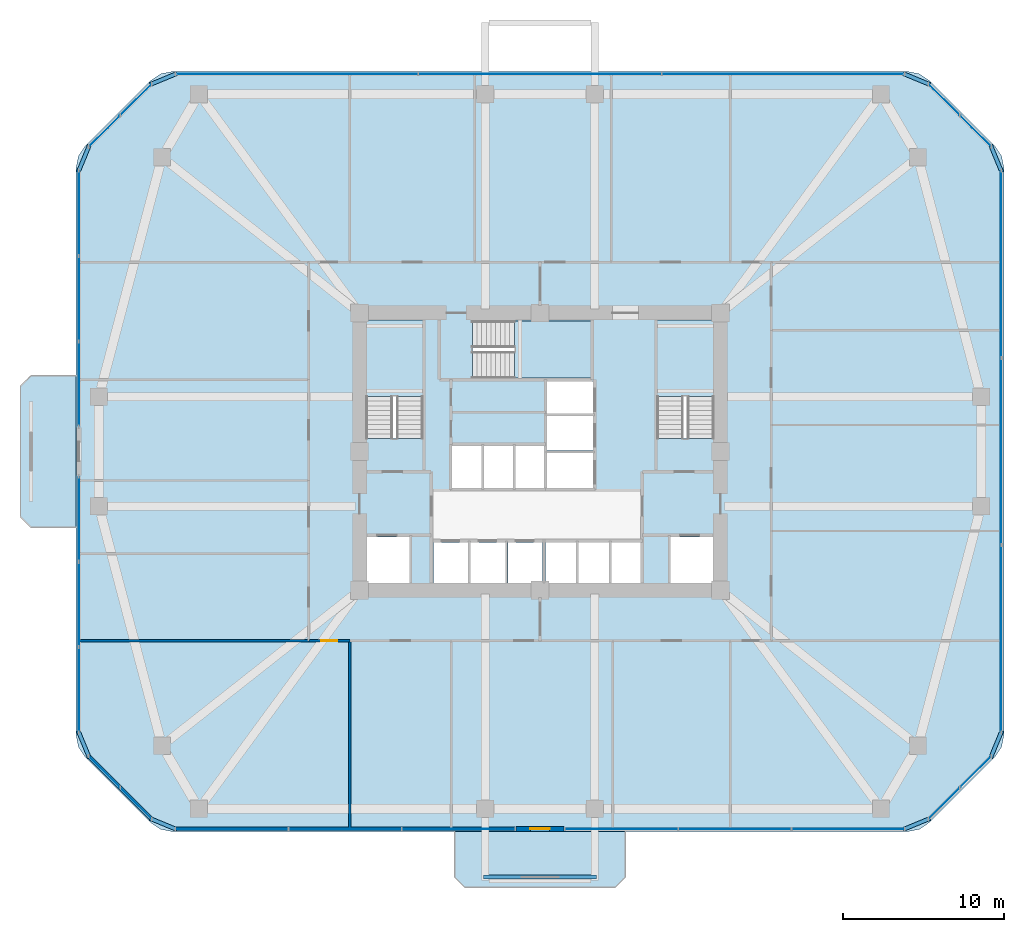
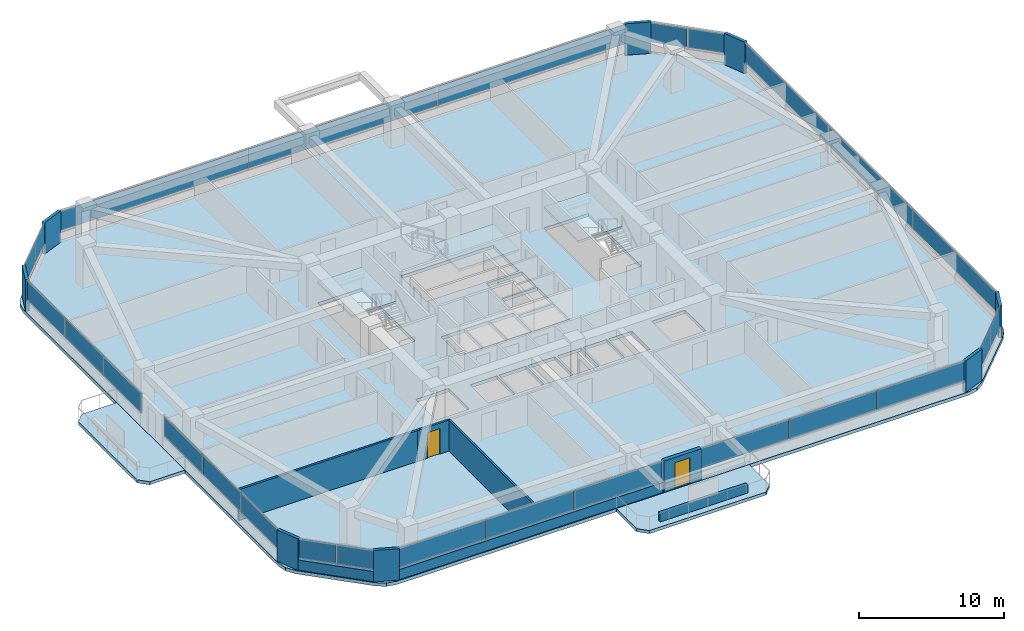
# One storey, part 8 of 13: 34 plates, 7 walls, 6 slabs, 2 doors, 2 openings, 13 elements without a shape of their own.
"""IFC4 building model written with IfcOpenShell, lengths in metres."""

from ifc_helpers import new_model, si_unit, derived_unit, direction, frame, frame_2d, origin, origin_2d, place, context, subcontext, project, spatial, polyline, rectangle, outline, extrude, material, layer, layer_set, type_object, element, fill, aggregate, save


model = new_model("IFC4")

# Units and contexts
model_context = context("Model", 3, precision=1e-05, world=origin(), true_north=direction((0.0, 1.0)))
body_context = subcontext(model_context, "Body", "Model", "MODEL_VIEW")
ifc_project = project(units=[si_unit("LENGTHUNIT", "METRE"), si_unit("AREAUNIT", "SQUARE_METRE"), si_unit("VOLUMEUNIT", "CUBIC_METRE"), si_unit("PLANEANGLEUNIT", "RADIAN"), si_unit("MASSUNIT", "GRAM", prefix="KILO"), derived_unit("THERMALTRANSMITTANCEUNIT", [(si_unit("POWERUNIT", "WATT"), 1), (si_unit("LENGTHUNIT", "METRE"), -2), (si_unit("THERMODYNAMICTEMPERATUREUNIT", "KELVIN"), -1)])], contexts=[model_context])

# Site, building, storey
site_placement = place(None, origin())
site = spatial("IfcSite", under=ifc_project, at=site_placement, CompositionType="ELEMENT")
building_placement = place(site_placement, origin())
building = spatial("IfcBuilding", under=site, at=building_placement, Name="Koralith Skygarden Medical Center", CompositionType="ELEMENT")
storey_placement = place(building_placement, frame((0.0, 0.0, 63.5400390625)))
storey = spatial("IfcBuildingStorey", under=building, at=storey_placement, Name="L16", CompositionType="ELEMENT", Elevation=63.5400390625)

# Curtain wall, plates
ifc_material_1 = material(Name="Clear Laminated Glass", Category="glass")
curtain_wall_type = type_object("IfcCurtainWallType", Name="CW-2 Zone 1 Hurricane Unitised Curtain Wall", PredefinedType="NOTDEFINED", material=ifc_material_1)
curtain_wall_1_placement = place(storey_placement, origin())
curtain_wall_1 = element("IfcCurtainWall", 1, at=curtain_wall_1_placement, inside=storey, type_object=curtain_wall_type, Name="Curtain Wall CW-L16-S-L", PredefinedType="NOTDEFINED")
ifc_layer_1 = layer(ifc_material_1, 0.031982421875)
ifc_layer_set_1 = layer_set([ifc_layer_1], Name="Clear Laminated Glass")
plate_type_1 = type_object("IfcPlateType", Name="CW-2 Hurricane Laminated IGU Panel 32", PredefinedType="CURTAIN_PANEL", material=ifc_layer_set_1)
plate_1_placement = place(storey_placement, frame((17.873046875, 2.47998046875, 0.919921875), z_axis=(0.0, 0.0, 1.0), x_axis=(1.0, 0.0, 0.0)))
plate_1 = element("IfcPlate", 2, at=plate_1_placement, type_object=plate_type_1, Name="CW-L16-S-L Glazed Panel 1", PredefinedType="CURTAIN_PANEL", context=body_context, shape_type="SweptSolid", body=[
    extrude(rectangle(XDim=6.945068359375, YDim=0.031982421875, at=origin_2d()), origin(), (0.0, 0.0, 1.0), 1.659912109375),
])
plate_2_placement = place(storey_placement, frame((24.906982421875, 2.47998046875, 0.919921875), z_axis=(0.0, 0.0, 1.0), x_axis=(1.0, 0.0, 0.0)))
plate_2 = element("IfcPlate", 3, at=plate_2_placement, type_object=plate_type_1, Name="CW-L16-S-L Glazed Panel 2", PredefinedType="CURTAIN_PANEL", context=body_context, shape_type="SweptSolid", body=[
    extrude(rectangle(XDim=6.945068359375, YDim=0.031982421875, at=origin_2d()), origin(), (0.0, 0.0, 1.0), 1.659912109375),
])
plate_3_placement = place(storey_placement, frame((31.94189453125, 2.47998046875, 0.919921875), z_axis=(0.0, 0.0, 1.0), x_axis=(1.0, 0.0, 0.0)))
plate_3 = element("IfcPlate", 4, at=plate_3_placement, type_object=plate_type_1, Name="CW-L16-S-L Glazed Panel 3", PredefinedType="CURTAIN_PANEL", context=body_context, shape_type="SweptSolid", body=[
    extrude(rectangle(XDim=6.945068359375, YDim=0.031982421875, at=origin_2d()), origin(), (0.0, 0.0, 1.0), 1.659912109375),
])
aggregate(curtain_wall_1, [plate_1, plate_2, plate_3])

curtain_wall_2_placement = place(storey_placement, origin())
curtain_wall_2 = element("IfcCurtainWall", 5, at=curtain_wall_2_placement, inside=storey, type_object=curtain_wall_type, Name="Curtain Wall CW-L16-S-R", PredefinedType="NOTDEFINED")
plate_4_placement = place(storey_placement, frame((42.056884765625, 2.47998046875, 0.919921875), z_axis=(0.0, 0.0, 1.0), x_axis=(1.0, 0.0, 0.0)))
plate_4 = element("IfcPlate", 6, at=plate_4_placement, type_object=plate_type_1, Name="CW-L16-S-R Glazed Panel 1", PredefinedType="CURTAIN_PANEL", context=body_context, shape_type="SweptSolid", body=[
    extrude(rectangle(XDim=6.945068359375, YDim=0.031982421875, at=origin_2d()), origin(), (0.0, 0.0, 1.0), 1.659912109375),
])
plate_5_placement = place(storey_placement, frame((49.093017578125, 2.47998046875, 0.919921875), z_axis=(0.0, 0.0, 1.0), x_axis=(1.0, 0.0, 0.0)))
plate_5 = element("IfcPlate", 7, at=plate_5_placement, type_object=plate_type_1, Name="CW-L16-S-R Glazed Panel 2", PredefinedType="CURTAIN_PANEL", context=body_context, shape_type="SweptSolid", body=[
    extrude(rectangle(XDim=6.945068359375, YDim=0.031982421875, at=origin_2d()), origin(), (0.0, 0.0, 1.0), 1.659912109375),
])
plate_6_placement = place(storey_placement, frame((56.126953125, 2.47998046875, 0.919921875), z_axis=(0.0, 0.0, 1.0), x_axis=(1.0, 0.0, 0.0)))
plate_6 = element("IfcPlate", 8, at=plate_6_placement, type_object=plate_type_1, Name="CW-L16-S-R Glazed Panel 3", PredefinedType="CURTAIN_PANEL", context=body_context, shape_type="SweptSolid", body=[
    extrude(rectangle(XDim=6.945068359375, YDim=0.031982421875, at=origin_2d()), origin(), (0.0, 0.0, 1.0), 1.659912109375),
])
aggregate(curtain_wall_2, [plate_4, plate_5, plate_6])

curtain_wall_3_placement = place(storey_placement, origin())
curtain_wall_3 = element("IfcCurtainWall", 9, at=curtain_wall_3_placement, inside=storey, type_object=curtain_wall_type, Name="Curtain Wall CW-L16-SE", PredefinedType="NOTDEFINED")
plate_7_placement = place(storey_placement, frame((62.076904296875, 4.06201171875, 0.919921875), z_axis=(0.0, 0.0, 1.0), x_axis=(0.707106781187, 0.707106781187, 0.0)))
plate_7 = element("IfcPlate", 10, at=plate_7_placement, type_object=plate_type_1, Name="CW-L16-SE Glazed Panel 1", PredefinedType="CURTAIN_PANEL", context=body_context, shape_type="SweptSolid", body=[
    extrude(rectangle(XDim=2.68408203125, YDim=0.031982421875, at=origin_2d()), origin(), (0.0, 0.0, 1.0), 1.659912109375),
])
plate_8_placement = place(storey_placement, frame((64.0380859375, 6.02294921875, 0.919921875), z_axis=(0.0, 0.0, 1.0), x_axis=(0.707106781187, 0.707106781187, 0.0)))
plate_8 = element("IfcPlate", 11, at=plate_8_placement, type_object=plate_type_1, Name="CW-L16-SE Glazed Panel 2", PredefinedType="CURTAIN_PANEL", context=body_context, shape_type="SweptSolid", body=[
    extrude(rectangle(XDim=2.68408203125, YDim=0.031982421875, at=origin_2d()), origin(), (0.0, 0.0, 1.0), 1.659912109375),
])
aggregate(curtain_wall_3, [plate_7, plate_8])

curtain_wall_4_placement = place(storey_placement, origin())
curtain_wall_4 = element("IfcCurtainWall", 12, at=curtain_wall_4_placement, inside=storey, type_object=curtain_wall_type, Name="Curtain Wall CW-L16-E", PredefinedType="NOTDEFINED")
plate_9_placement = place(storey_placement, frame((65.6201171875, 14.27001953125, 0.919921875), z_axis=(0.0, 0.0, 1.0), x_axis=(0.0, 1.0, 0.0)))
plate_9 = element("IfcPlate", 13, at=plate_9_placement, type_object=plate_type_1, Name="CW-L16-E Glazed Panel 1", PredefinedType="CURTAIN_PANEL", context=body_context, shape_type="SweptSolid", body=[
    extrude(rectangle(XDim=11.5400390625, YDim=0.031982421875, at=origin_2d()), origin(), (0.0, 0.0, 1.0), 1.659912109375),
])
plate_10_placement = place(storey_placement, frame((65.6201171875, 25.89990234375, 0.919921875), z_axis=(0.0, 0.0, 1.0), x_axis=(0.0, 1.0, 0.0)))
plate_10 = element("IfcPlate", 14, at=plate_10_placement, type_object=plate_type_1, Name="CW-L16-E Glazed Panel 2", PredefinedType="CURTAIN_PANEL", context=body_context, shape_type="SweptSolid", body=[
    extrude(rectangle(XDim=11.5400390625, YDim=0.031982421875, at=origin_2d()), origin(), (0.0, 0.0, 1.0), 1.659912109375),
])
plate_11_placement = place(storey_placement, frame((65.6201171875, 37.530029296875, 0.919921875), z_axis=(0.0, 0.0, 1.0), x_axis=(0.0, 1.0, 0.0)))
plate_11 = element("IfcPlate", 15, at=plate_11_placement, type_object=plate_type_1, Name="CW-L16-E Glazed Panel 3", PredefinedType="CURTAIN_PANEL", context=body_context, shape_type="SweptSolid", body=[
    extrude(rectangle(XDim=11.5400390625, YDim=0.031982421875, at=origin_2d()), origin(), (0.0, 0.0, 1.0), 1.659912109375),
])
aggregate(curtain_wall_4, [plate_9, plate_10, plate_11])

curtain_wall_5_placement = place(storey_placement, origin())
curtain_wall_5 = element("IfcCurtainWall", 16, at=curtain_wall_5_placement, inside=storey, type_object=curtain_wall_type, Name="Curtain Wall CW-L16-NE", PredefinedType="NOTDEFINED")
plate_12_placement = place(storey_placement, frame((64.0380859375, 45.777099609375, 0.919921875), z_axis=(0.0, 0.0, 1.0), x_axis=(-0.707106781187, 0.707106781187, 0.0)))
plate_12 = element("IfcPlate", 17, at=plate_12_placement, type_object=plate_type_1, Name="CW-L16-NE Glazed Panel 1", PredefinedType="CURTAIN_PANEL", context=body_context, shape_type="SweptSolid", body=[
    extrude(rectangle(XDim=2.68408203125, YDim=0.031982421875, at=origin_2d()), origin(), (0.0, 0.0, 1.0), 1.659912109375),
])
plate_13_placement = place(storey_placement, frame((62.076904296875, 47.738037109375, 0.919921875), z_axis=(0.0, 0.0, 1.0), x_axis=(-0.707106781187, 0.707106781187, 0.0)))
plate_13 = element("IfcPlate", 18, at=plate_13_placement, type_object=plate_type_1, Name="CW-L16-NE Glazed Panel 2", PredefinedType="CURTAIN_PANEL", context=body_context, shape_type="SweptSolid", body=[
    extrude(rectangle(XDim=2.68408203125, YDim=0.031982421875, at=origin_2d()), origin(), (0.0, 0.0, 1.0), 1.659912109375),
])
aggregate(curtain_wall_5, [plate_12, plate_13])

curtain_wall_6_placement = place(storey_placement, origin())
curtain_wall_6 = element("IfcCurtainWall", 19, at=curtain_wall_6_placement, inside=storey, type_object=curtain_wall_type, Name="Curtain Wall CW-L16-N", PredefinedType="NOTDEFINED")
plate_14_placement = place(storey_placement, frame((52.096923828125, 49.320068359375, 0.919921875), z_axis=(0.0, 0.0, 1.0), x_axis=(-1.0, 0.0, 0.0)))
plate_14 = element("IfcPlate", 20, at=plate_14_placement, type_object=plate_type_1, Name="CW-L16-N Glazed Panel 1", PredefinedType="CURTAIN_PANEL", context=body_context, shape_type="SweptSolid", body=[
    extrude(rectangle(XDim=15.007080078125, YDim=0.031982421875, at=origin_2d()), origin(), (0.0, 0.0, 1.0), 1.659912109375),
])
plate_15_placement = place(storey_placement, frame((37.0, 49.320068359375, 0.919921875), z_axis=(0.0, 0.0, 1.0), x_axis=(-1.0, 0.0, 0.0)))
plate_15 = element("IfcPlate", 21, at=plate_15_placement, type_object=plate_type_1, Name="CW-L16-N Glazed Panel 2", PredefinedType="CURTAIN_PANEL", context=body_context, shape_type="SweptSolid", body=[
    extrude(rectangle(XDim=15.007080078125, YDim=0.031982421875, at=origin_2d()), origin(), (0.0, 0.0, 1.0), 1.659912109375),
])
plate_16_placement = place(storey_placement, frame((21.903076171875, 49.320068359375, 0.919921875), z_axis=(0.0, 0.0, 1.0), x_axis=(-1.0, 0.0, 0.0)))
plate_16 = element("IfcPlate", 22, at=plate_16_placement, type_object=plate_type_1, Name="CW-L16-N Glazed Panel 3", PredefinedType="CURTAIN_PANEL", context=body_context, shape_type="SweptSolid", body=[
    extrude(rectangle(XDim=15.007080078125, YDim=0.031982421875, at=origin_2d()), origin(), (0.0, 0.0, 1.0), 1.659912109375),
])
aggregate(curtain_wall_6, [plate_14, plate_15, plate_16])

curtain_wall_7_placement = place(storey_placement, origin())
curtain_wall_7 = element("IfcCurtainWall", 23, at=curtain_wall_7_placement, inside=storey, type_object=curtain_wall_type, Name="Curtain Wall CW-L16-NW", PredefinedType="NOTDEFINED")
plate_17_placement = place(storey_placement, frame((11.923095703125, 47.738037109375, 0.919921875), z_axis=(0.0, 0.0, 1.0), x_axis=(-0.707106781187, -0.707106781187, 0.0)))
plate_17 = element("IfcPlate", 24, at=plate_17_placement, type_object=plate_type_1, Name="CW-L16-NW Glazed Panel 1", PredefinedType="CURTAIN_PANEL", context=body_context, shape_type="SweptSolid", body=[
    extrude(rectangle(XDim=2.68408203125, YDim=0.031982421875, at=origin_2d()), origin(), (0.0, 0.0, 1.0), 1.659912109375),
])
plate_18_placement = place(storey_placement, frame((9.9619140625, 45.777099609375, 0.919921875), z_axis=(0.0, 0.0, 1.0), x_axis=(-0.707106781187, -0.707106781187, 0.0)))
plate_18 = element("IfcPlate", 25, at=plate_18_placement, type_object=plate_type_1, Name="CW-L16-NW Glazed Panel 2", PredefinedType="CURTAIN_PANEL", context=body_context, shape_type="SweptSolid", body=[
    extrude(rectangle(XDim=2.68408203125, YDim=0.031982421875, at=origin_2d()), origin(), (0.0, 0.0, 1.0), 1.659912109375),
])
aggregate(curtain_wall_7, [plate_17, plate_18])

curtain_wall_8_placement = place(storey_placement, origin())
curtain_wall_8 = element("IfcCurtainWall", 26, at=curtain_wall_8_placement, inside=storey, type_object=curtain_wall_type, Name="Curtain Wall CW-L16-W-L", PredefinedType="NOTDEFINED")
plate_19_placement = place(storey_placement, frame((8.3798828125, 40.694091796875, 0.919921875), z_axis=(0.0, 0.0, 1.0), x_axis=(0.0, -1.0, 0.0)))
plate_19 = element("IfcPlate", 27, at=plate_19_placement, type_object=plate_type_1, Name="CW-L16-W-L Glazed Panel 1", PredefinedType="CURTAIN_PANEL", context=body_context, shape_type="SweptSolid", body=[
    extrude(rectangle(XDim=5.2119140625, YDim=0.031982421875, at=origin_2d()), origin(), (0.0, 0.0, 1.0), 1.659912109375),
])
plate_20_placement = place(storey_placement, frame((8.3798828125, 35.39208984375, 0.919921875), z_axis=(0.0, 0.0, 1.0), x_axis=(0.0, -1.0, 0.0)))
plate_20 = element("IfcPlate", 28, at=plate_20_placement, type_object=plate_type_1, Name="CW-L16-W-L Glazed Panel 2", PredefinedType="CURTAIN_PANEL", context=body_context, shape_type="SweptSolid", body=[
    extrude(rectangle(XDim=5.2119140625, YDim=0.031982421875, at=origin_2d()), origin(), (0.0, 0.0, 1.0), 1.659912109375),
])
plate_21_placement = place(storey_placement, frame((8.3798828125, 30.091064453125, 0.919921875), z_axis=(0.0, 0.0, 1.0), x_axis=(0.0, -1.0, 0.0)))
plate_21 = element("IfcPlate", 29, at=plate_21_placement, type_object=plate_type_1, Name="CW-L16-W-L Glazed Panel 3", PredefinedType="CURTAIN_PANEL", context=body_context, shape_type="SweptSolid", body=[
    extrude(rectangle(XDim=5.2119140625, YDim=0.031982421875, at=origin_2d()), origin(), (0.0, 0.0, 1.0), 1.659912109375),
])
aggregate(curtain_wall_8, [plate_19, plate_20, plate_21])

curtain_wall_9_placement = place(storey_placement, origin())
curtain_wall_9 = element("IfcCurtainWall", 30, at=curtain_wall_9_placement, inside=storey, type_object=curtain_wall_type, Name="Curtain Wall CW-L16-W-R", PredefinedType="NOTDEFINED")
plate_22_placement = place(storey_placement, frame((8.3798828125, 21.708984375, 0.919921875), z_axis=(0.0, 0.0, 1.0), x_axis=(0.0, -1.0, 0.0)))
plate_22 = element("IfcPlate", 31, at=plate_22_placement, type_object=plate_type_1, Name="CW-L16-W-R Glazed Panel 1", PredefinedType="CURTAIN_PANEL", context=body_context, shape_type="SweptSolid", body=[
    extrude(rectangle(XDim=5.2119140625, YDim=0.031982421875, at=origin_2d()), origin(), (0.0, 0.0, 1.0), 1.659912109375),
])
plate_23_placement = place(storey_placement, frame((8.3798828125, 16.406982421875, 0.919921875), z_axis=(0.0, 0.0, 1.0), x_axis=(0.0, -1.0, 0.0)))
plate_23 = element("IfcPlate", 32, at=plate_23_placement, type_object=plate_type_1, Name="CW-L16-W-R Glazed Panel 2", PredefinedType="CURTAIN_PANEL", context=body_context, shape_type="SweptSolid", body=[
    extrude(rectangle(XDim=5.2119140625, YDim=0.031982421875, at=origin_2d()), origin(), (0.0, 0.0, 1.0), 1.659912109375),
])
plate_24_placement = place(storey_placement, frame((8.3798828125, 11.10595703125, 0.919921875), z_axis=(0.0, 0.0, 1.0), x_axis=(0.0, -1.0, 0.0)))
plate_24 = element("IfcPlate", 33, at=plate_24_placement, type_object=plate_type_1, Name="CW-L16-W-R Glazed Panel 3", PredefinedType="CURTAIN_PANEL", context=body_context, shape_type="SweptSolid", body=[
    extrude(rectangle(XDim=5.2119140625, YDim=0.031982421875, at=origin_2d()), origin(), (0.0, 0.0, 1.0), 1.659912109375),
])
aggregate(curtain_wall_9, [plate_22, plate_23, plate_24])

curtain_wall_10_placement = place(storey_placement, origin())
curtain_wall_10 = element("IfcCurtainWall", 34, at=curtain_wall_10_placement, inside=storey, type_object=curtain_wall_type, Name="Curtain Wall CW-L16-SW", PredefinedType="NOTDEFINED")
plate_25_placement = place(storey_placement, frame((9.9619140625, 6.02294921875, 0.919921875), z_axis=(0.0, 0.0, 1.0), x_axis=(0.707106781187, -0.707106781187, 0.0)))
plate_25 = element("IfcPlate", 35, at=plate_25_placement, type_object=plate_type_1, Name="CW-L16-SW Glazed Panel 1", PredefinedType="CURTAIN_PANEL", context=body_context, shape_type="SweptSolid", body=[
    extrude(rectangle(XDim=2.68408203125, YDim=0.031982421875, at=origin_2d()), origin(), (0.0, 0.0, 1.0), 1.659912109375),
])
plate_26_placement = place(storey_placement, frame((11.923095703125, 4.06201171875, 0.919921875), z_axis=(0.0, 0.0, 1.0), x_axis=(0.707106781187, -0.707106781187, 0.0)))
plate_26 = element("IfcPlate", 36, at=plate_26_placement, type_object=plate_type_1, Name="CW-L16-SW Glazed Panel 2", PredefinedType="CURTAIN_PANEL", context=body_context, shape_type="SweptSolid", body=[
    extrude(rectangle(XDim=2.68408203125, YDim=0.031982421875, at=origin_2d()), origin(), (0.0, 0.0, 1.0), 1.659912109375),
])
aggregate(curtain_wall_10, [plate_25, plate_26])

# Slabs
ifc_material_2 = material(Name="Concrete C45/55", Category="concrete")
ifc_layer_2 = layer(ifc_material_2, 0.260009765625)
ifc_layer_set_2 = layer_set([ifc_layer_2], Name="Concrete C45/55")
slab_type_1 = type_object("IfcSlabType", Name="Cantilevered Planted Balcony Slab 260", PredefinedType="FLOOR", material=ifc_layer_set_2)
slab_1_placement = place(storey_placement, frame((0.0, 0.0, -0.260009765625)))
element("IfcSlab", 37, at=slab_1_placement, inside=storey, type_object=slab_type_1, Name="L16 S Planted Sky-Garden Balcony Slab", PredefinedType="FLOOR", context=body_context, shape_type="SweptSolid", body=[
    extrude(outline(polyline([(32.35009765625, -1.14990234375), (41.64990234375, -1.14990234375), (42.300048828125, -0.5), (42.300048828125, 2.300048828125), (31.699951171875, 2.300048828125), (31.699951171875, -0.5), (32.35009765625, -1.14990234375)])), origin(), (0.0, 0.0, 1.0), 0.260009765625),
])
slab_2_placement = place(storey_placement, frame((0.0, 0.0, -0.260009765625)))
element("IfcSlab", 38, at=slab_2_placement, inside=storey, type_object=slab_type_1, Name="L16 W Planted Sky-Garden Balcony Slab", PredefinedType="FLOOR", context=body_context, shape_type="SweptSolid", body=[
    extrude(outline(polyline([(5.39990234375, 21.199951171875), (8.199951171875, 21.199951171875), (8.199951171875, 30.60009765625), (5.39990234375, 30.60009765625), (4.75, 29.949951171875), (4.75, 21.85009765625), (5.39990234375, 21.199951171875)])), origin(), (0.0, 0.0, 1.0), 0.260009765625),
])

# Stair, slab
stair_type = type_object("IfcStairType", Name="Core Exit Dogleg Concrete Stair", PredefinedType="HALF_TURN_STAIR", material=ifc_material_2)
stair_1_placement = place(storey_placement, origin())
stair_1 = element("IfcStair", 39, at=stair_1_placement, inside=storey, type_object=stair_type, Name="L16 Smokeproof Exit Stair ST1", PredefinedType="HALF_TURN_STAIR")
ifc_layer_3 = layer(ifc_material_2, 0.199951171875)
ifc_layer_set_3 = layer_set([ifc_layer_3], Name="Concrete C45/55")
slab_type_2 = type_object("IfcSlabType", Name="Core Exit Concrete Stair Landing 200", PredefinedType="LANDING", material=ifc_layer_set_3)
slab_3_placement = place(storey_placement, frame((0.0, 0.0, 1.599853515625)))
slab_3 = element("IfcSlab", 40, at=slab_3_placement, type_object=slab_type_2, Name="ST1 landing 1", PredefinedType="LANDING", context=body_context, shape_type="SweptSolid", body=[
    extrude(outline(polyline([(29.75, 29.31005859375), (29.75, 34.050048828125), (26.199951171875, 34.050048828125), (26.199951171875, 29.31005859375), (29.75, 29.31005859375)])), origin(), (0.0, 0.0, 1.0), 0.2001953125),
])
aggregate(stair_1, [slab_3])

stair_2_placement = place(storey_placement, origin())
stair_2 = element("IfcStair", 41, at=stair_2_placement, inside=storey, type_object=stair_type, Name="L16 Smokeproof Exit Stair ST2", PredefinedType="HALF_TURN_STAIR")
slab_4_placement = place(storey_placement, frame((0.0, 0.0, 1.599853515625)))
slab_4 = element("IfcSlab", 42, at=slab_4_placement, type_object=slab_type_2, Name="ST2 landing 1", PredefinedType="LANDING", context=body_context, shape_type="SweptSolid", body=[
    extrude(outline(polyline([(47.800048828125, 29.31005859375), (47.800048828125, 34.050048828125), (44.25, 34.050048828125), (44.25, 29.31005859375), (47.800048828125, 29.31005859375)])), origin(), (0.0, 0.0, 1.0), 0.2001953125),
])
aggregate(stair_2, [slab_4])

stair_3_placement = place(storey_placement, origin())
stair_3 = element("IfcStair", 43, at=stair_3_placement, inside=storey, type_object=stair_type, Name="L16 Smokeproof Exit Stair ST3", PredefinedType="HALF_TURN_STAIR")
slab_5_placement = place(storey_placement, frame((0.0, 0.0, 1.599853515625)))
slab_5 = element("IfcSlab", 44, at=slab_5_placement, type_object=slab_type_2, Name="ST3 landing 1", PredefinedType="LANDING", context=body_context, shape_type="SweptSolid", body=[
    extrude(outline(polyline([(35.409912109375, 30.449951171875), (40.199951171875, 30.449951171875), (40.199951171875, 34.0), (35.409912109375, 34.0), (35.409912109375, 30.449951171875)])), origin(), (0.0, 0.0, 1.0), 0.2001953125),
])
aggregate(stair_3, [slab_5])

# Slab
ifc_layer_4 = layer(ifc_material_2, 0.280029296875)
ifc_layer_set_4 = layer_set([ifc_layer_4], Name="Concrete C45/55")
slab_type_3 = type_object("IfcSlabType", Name="Post-Tensioned Ward Floor Plate 280", PredefinedType="FLOOR", material=ifc_layer_set_4)
slab_6_placement = place(storey_placement, frame((0.0, 0.0, -0.280029296875)))
element("IfcSlab", 45, at=slab_6_placement, inside=storey, type_object=slab_type_3, Name="Level L16 Structural Floor Slab", PredefinedType="FLOOR", context=body_context, shape_type="SweptSolid", body=[
    extrude(outline(polyline([(12.81396484375, 2.885986328125), (13.462890625, 2.451904296875), (14.22802734375, 2.300048828125), (59.77197265625, 2.300048828125), (60.537109375, 2.451904296875), (61.18603515625, 2.885986328125), (65.214111328125, 6.9140625), (65.64794921875, 7.56298828125), (65.800048828125, 8.327880859375), (65.800048828125, 43.471923828125), (65.64794921875, 44.237060546875), (65.214111328125, 44.885986328125), (61.18603515625, 48.9140625), (60.537109375, 49.347900390625), (59.77197265625, 49.5), (14.22802734375, 49.5), (13.462890625, 49.347900390625), (12.81396484375, 48.9140625), (8.785888671875, 44.885986328125), (8.35205078125, 44.237060546875), (8.199951171875, 43.471923828125), (8.199951171875, 8.327880859375), (8.35205078125, 7.56298828125), (8.785888671875, 6.9140625), (12.81396484375, 2.885986328125)]), holes=[polyline([(26.199951171875, 26.705078125), (29.75, 26.705078125), (29.75, 34.050048828125), (26.199951171875, 34.050048828125), (26.199951171875, 26.705078125)]), polyline([(44.25, 26.705078125), (47.800048828125, 26.705078125), (47.800048828125, 34.050048828125), (44.25, 34.050048828125), (44.25, 26.705078125)]), polyline([(32.804931640625, 30.449951171875), (40.199951171875, 30.449951171875), (40.199951171875, 34.0), (32.804931640625, 34.0), (32.804931640625, 30.449951171875)]), polyline([(26.25, 17.75), (28.89990234375, 17.75), (28.89990234375, 20.60009765625), (26.25, 20.60009765625), (26.25, 17.75)]), polyline([(45.10009765625, 17.75), (47.75, 17.75), (47.75, 20.60009765625), (45.10009765625, 20.60009765625), (45.10009765625, 17.75)]), polyline([(30.39990234375, 17.75), (32.550048828125, 17.75), (32.550048828125, 20.25), (30.39990234375, 20.25), (30.39990234375, 17.75)]), polyline([(32.699951171875, 17.75), (34.85009765625, 17.75), (34.85009765625, 20.25), (32.699951171875, 20.25), (32.699951171875, 17.75)]), polyline([(35.0, 17.75), (37.14990234375, 17.75), (37.14990234375, 20.25), (35.0, 20.25), (35.0, 17.75)]), polyline([(37.35009765625, 17.75), (39.25, 17.75), (39.25, 20.25), (37.35009765625, 20.25), (37.35009765625, 17.75)]), polyline([(39.39990234375, 17.75), (41.300048828125, 17.75), (41.300048828125, 20.25), (39.39990234375, 20.25), (39.39990234375, 17.75)]), polyline([(41.449951171875, 17.75), (43.300048828125, 17.75), (43.300048828125, 20.25), (41.449951171875, 20.25), (41.449951171875, 17.75)]), polyline([(31.550048828125, 23.64990234375), (33.39990234375, 23.64990234375), (33.39990234375, 26.25), (31.550048828125, 26.25), (31.550048828125, 23.64990234375)]), polyline([(33.5, 23.64990234375), (35.35009765625, 23.64990234375), (35.35009765625, 26.25), (33.5, 26.25), (33.5, 23.64990234375)]), polyline([(35.449951171875, 23.64990234375), (37.300048828125, 23.64990234375), (37.300048828125, 26.25), (35.449951171875, 26.25), (35.449951171875, 23.64990234375)]), polyline([(37.449951171875, 23.64990234375), (40.300048828125, 23.64990234375), (40.300048828125, 25.800048828125), (37.449951171875, 25.800048828125), (37.449951171875, 23.64990234375)]), polyline([(37.449951171875, 25.949951171875), (40.300048828125, 25.949951171875), (40.300048828125, 28.10009765625), (37.449951171875, 28.10009765625), (37.449951171875, 25.949951171875)]), polyline([(37.449951171875, 28.25), (40.300048828125, 28.25), (40.300048828125, 30.25), (37.449951171875, 30.25), (37.449951171875, 28.25)])]), origin(), (0.0, 0.0, 1.0), 0.280029296875),
])

# Plates
ifc_material_3 = material(Name="Warm Oolitic Limestone Cladding", Category="masonry")
ifc_layer_5 = layer(ifc_material_3, 0.239990234375)
ifc_layer_set_5 = layer_set([ifc_layer_5], Name="Warm Oolitic Limestone Cladding")
plate_type_2 = type_object("IfcPlateType", Name="Rounded-Corner Oolitic Limestone Cladding Panel 240", PredefinedType="USERDEFINED", material=ifc_layer_set_5)
for number, where, z_axis, x_axis, name in (
    (46, (60.3701171875, 2.780029296875, 0.0), (0.0, 0.0, 1.0), (0.92388487569, 0.382670532536, 0.0), "L16 Rounded-Corner Limestone Pier 1"),
    (47, (65.320068359375, 7.72900390625, 0.0), (0.0, 0.0, 1.0), (0.382670532536, 0.92388487569, 0.0), "L16 Rounded-Corner Limestone Pier 2"),
    (48, (65.320068359375, 44.070068359375, 0.0), (0.0, 0.0, 1.0), (-0.382670532536, 0.92388487569, 0.0), "L16 Rounded-Corner Limestone Pier 3"),
    (49, (60.3701171875, 49.02001953125, 0.0), (0.0, 0.0, 1.0), (-0.92388487569, 0.382670532536, 0.0), "L16 Rounded-Corner Limestone Pier 4"),
    (50, (13.6298828125, 49.02001953125, 0.0), (0.0, 0.0, 1.0), (-0.92388487569, -0.382670532536, 0.0), "L16 Rounded-Corner Limestone Pier 5"),
    (51, (8.680908203125, 44.070068359375, 0.0), (0.0, 0.0, 1.0), (-0.382670532536, -0.92388487569, 0.0), "L16 Rounded-Corner Limestone Pier 6"),
    (52, (8.680908203125, 7.72900390625, 0.0), (0.0, 0.0, 1.0), (0.382670532536, -0.92388487569, 0.0), "L16 Rounded-Corner Limestone Pier 7"),
    (53, (13.6298828125, 2.780029296875, 0.0), (0.0, 0.0, 1.0), (0.92388487569, -0.382670532536, 0.0), "L16 Rounded-Corner Limestone Pier 8"),
):
    element("IfcPlate", number, at=place(storey_placement, frame(where, z_axis=z_axis, x_axis=x_axis)), inside=storey, type_object=plate_type_2, Name=name, ObjectType="LIMESTONE CLADDING", PredefinedType="USERDEFINED", context=body_context, shape_type="SweptSolid", body=[
        extrude(rectangle(XDim=1.81103515625, YDim=0.239990234375, at=origin_2d()), origin(), (0.0, 0.0, 1.0), 2.64990234375),
    ])

# Walls
ifc_material_4 = material(Name="Gypsum Board Partition")
ifc_layer_6 = layer(ifc_material_4, 0.14990234375)
ifc_layer_set_6 = layer_set([ifc_layer_6], Name="Gypsum Board Partition")
wall_type_1 = type_object("IfcWallType", Name="Clinical Acoustic Partition 150", PredefinedType="PARTITIONING", material=ifc_layer_set_6)
wall_1_placement = place(storey_placement, frame((25.199951171875, 14.14990234375, 0.0), z_axis=(0.0, 0.0, 1.0), x_axis=(0.0, -1.0, 0.0)))
element("IfcWall", 54, at=wall_1_placement, inside=storey, type_object=wall_type_1, Name="L16 Clinical Acoustic Partition 150 W-PART-L16-S-01", PredefinedType="PARTITIONING", context=body_context, shape_type="SweptSolid", body=[
    extrude(rectangle(XDim=11.64990234375, YDim=0.14990234375, at=frame_2d((5.824951171875, 0.0))), origin(), (0.0, 0.0, 1.0), 2.60986328125),
])
ifc_layer_7 = layer(ifc_material_4, 0.1650390625)
ifc_layer_set_7 = layer_set([ifc_layer_7], Name="Gypsum Board Partition")
wall_type_2 = type_object("IfcWallType", Name="Clinical Corridor Partition 165", PredefinedType="PARTITIONING", material=ifc_layer_set_7)
wall_2_placement = place(storey_placement, frame((8.39990234375, 14.14990234375, 0.0), z_axis=(0.0, 0.0, 1.0), x_axis=(1.0, 0.0, 0.0)))
element("IfcWall", 55, at=wall_2_placement, inside=storey, type_object=wall_type_2, Name="L16 Clinical Corridor Partition 165 W-WB-L16-SW", PredefinedType="PARTITIONING", context=body_context, shape_type="SweptSolid", body=[
    extrude(rectangle(XDim=14.25, YDim=0.1650390625, at=frame_2d((7.125, 0.0))), origin(), (0.0, 0.0, 1.0), 2.60986328125),
])

# Wall, opening, door
wall_3_placement = place(storey_placement, frame((22.64990234375, 14.14990234375, 0.0), z_axis=(0.0, 0.0, 1.0), x_axis=(1.0, 0.0, 0.0)))
wall_3 = element("IfcWall", 56, at=wall_3_placement, inside=storey, type_object=wall_type_2, Name="L16 Clinical Corridor Partition 165 W-CORR-L16-S-01", PredefinedType="PARTITIONING", context=body_context, shape_type="SweptSolid", body=[
    extrude(rectangle(XDim=2.550048828125, YDim=0.1650390625, at=frame_2d((1.27490234375, 0.0))), origin(), (0.0, 0.0, 1.0), 2.60986328125),
])
opening_1_placement = place(wall_3_placement, frame((0.77490234375, 0.0, 0.0)))
opening_1 = element("IfcOpeningElement", 57, at=opening_1_placement, cuts=wall_3, Name="Opening D-SUP", PredefinedType="OPENING", context=body_context, shape_type="SweptSolid", body=[
    extrude(rectangle(XDim=1.0, YDim=2.14990234375, at=frame_2d((0.5, 1.074951171875))), frame((0.0, 0.092529296875, 0.0), z_axis=(0.0, -1.0, 0.0), x_axis=(1.0, 0.0, 0.0)), (0.0, 0.0, 1.0), 0.18505859375),
])
ifc_material_5 = material(Name="Aluminium 6063-T6", Category="aluminium")
door_type_1 = type_object("IfcDoorType", Name="Clinical Support Door D-SUP 1000", OperationType="NOTDEFINED", PredefinedType="DOOR", material=ifc_material_5)
door_1_placement = place(opening_1_placement, frame((1.0, 0.0, 0.0), z_axis=(0.0, 0.0, 1.0), x_axis=(-1.0, 0.0, 0.0)))
door_1 = element("IfcDoor", 58, at=door_1_placement, inside=storey, type_object=door_type_1, Name="L16 Electromyography Reading Office 06 Door", OperationType="SINGLE_SWING_LEFT", OverallHeight=2.14990234375, OverallWidth=1.0, PredefinedType="DOOR", context=body_context, shape_type="SweptSolid", body=[
    extrude(rectangle(XDim=1.0, YDim=2.14990234375, at=frame_2d((0.5, 1.074951171875))), frame((0.0, 0.02490234375, 0.0), z_axis=(0.0, -1.0, 0.0), x_axis=(1.0, 0.0, 0.0)), (0.0, 0.0, 1.0), 0.050048828125),
])
fill(opening_1, door_1)

# Walls
ifc_layer_8 = layer(ifc_material_3, 0.239990234375)
ifc_layer_set_8 = layer_set([ifc_layer_8], Name="Warm Oolitic Limestone Cladding")
wall_type_3 = type_object("IfcWallType", Name="Limestone Spandrel Sill Backup Wall 240", PredefinedType="SOLIDWALL", material=ifc_layer_set_8)
wall_4_placement = place(storey_placement, frame((14.35498046875, 2.47998046875, 0.0), z_axis=(0.0, 0.0, 1.0), x_axis=(1.0, 0.0, 0.0)))
element("IfcWall", 59, at=wall_4_placement, inside=storey, type_object=wall_type_3, Name="L16 Sill Spandrel S-L", PredefinedType="SOLIDWALL", context=body_context, shape_type="SweptSolid", body=[
    extrude(rectangle(XDim=21.10498046875, YDim=0.239990234375, at=frame_2d((10.552490234375, 0.0))), origin(), (0.0, 0.0, 1.0), 0.849853515625),
])
wall_5_placement = place(storey_placement, frame((8.98095703125, 7.00390625, 0.0), z_axis=(0.0, 0.0, 1.0), x_axis=(0.707128783731, -0.707084777957, 0.0)))
element("IfcWall", 60, at=wall_5_placement, inside=storey, type_object=wall_type_3, Name="L16 Sill Spandrel SW", PredefinedType="SOLIDWALL", context=body_context, shape_type="SweptSolid", body=[
    extrude(rectangle(XDim=5.5478515625, YDim=0.239990234375, at=frame_2d((2.77392578125, 0.0))), origin(), (0.0, 0.0, 1.0), 0.849853515625),
])

# Wall, opening, door
ifc_layer_9 = layer(ifc_material_3, 0.300048828125)
ifc_layer_set_9 = layer_set([ifc_layer_9], Name="Warm Oolitic Limestone Cladding")
wall_type_4 = type_object("IfcWallType", Name="Oolitic Limestone Insulated Facade Wall 300", PredefinedType="SOLIDWALL", material=ifc_layer_set_9)
wall_6_placement = place(storey_placement, frame((35.5, 2.47998046875, 0.0), z_axis=(0.0, 0.0, 1.0), x_axis=(1.0, 0.0, 0.0)))
wall_6 = element("IfcWall", 61, at=wall_6_placement, inside=storey, type_object=wall_type_4, Name="L16 Terrace Portal Wall S", PredefinedType="SOLIDWALL", context=body_context, shape_type="SweptSolid", body=[
    extrude(rectangle(XDim=3.0, YDim=0.300048828125, at=frame_2d((1.5, 0.0))), origin(), (0.0, 0.0, 1.0), 2.64990234375),
])
opening_2_placement = place(wall_6_placement, frame((0.89990234375, 0.0, 0.0)))
opening_2 = element("IfcOpeningElement", 62, at=opening_2_placement, cuts=wall_6, Name="Opening D-BAL", PredefinedType="OPENING", context=body_context, shape_type="SweptSolid", body=[
    extrude(rectangle(XDim=1.199951171875, YDim=2.199951171875, at=frame_2d((0.60009765625, 1.10009765625))), frame((0.0, 0.159912109375, 0.0), z_axis=(0.0, -1.0, 0.0), x_axis=(1.0, 0.0, 0.0)), (0.0, 0.0, 1.0), 0.320068359375),
])
door_type_2 = type_object("IfcDoorType", Name="Planted Balcony Glazed Terrace Door D-BAL 1200", OperationType="NOTDEFINED", PredefinedType="DOOR", material=ifc_material_5)
door_2_placement = place(opening_2_placement, origin())
door_2 = element("IfcDoor", 63, at=door_2_placement, inside=storey, type_object=door_type_2, Name="L16 S Outdoor Terrace Access Door", OperationType="SINGLE_SWING_LEFT", OverallHeight=2.199951171875, OverallWidth=1.199951171875, PredefinedType="DOOR", context=body_context, shape_type="SweptSolid", body=[
    extrude(rectangle(XDim=1.199951171875, YDim=2.199951171875, at=frame_2d((0.60009765625, 1.10009765625))), frame((0.0, 0.02490234375, 0.0), z_axis=(0.0, -1.0, 0.0), x_axis=(1.0, 0.0, 0.0)), (0.0, 0.0, 1.0), 0.050048828125),
])
fill(opening_2, door_2)

# Wall
ifc_material_6 = material(Name="Precast concrete C40/50", Category="concrete")
ifc_layer_10 = layer(ifc_material_6, 0.25)
ifc_layer_set_10 = layer_set([ifc_layer_10], Name="Precast concrete C40/50")
wall_type_5 = type_object("IfcWallType", Name="Structural Concrete Balcony Planter Kerb 250", PredefinedType="PARAPET", material=ifc_layer_set_10)
wall_7_placement = place(storey_placement, frame((33.5, -0.5, 0.0), z_axis=(0.0, 0.0, 1.0), x_axis=(1.0, 0.0, 0.0)))
element("IfcWall", 64, at=wall_7_placement, inside=storey, type_object=wall_type_5, Name="L16 S Structural Tree PLANTER Box", PredefinedType="PARAPET", context=body_context, shape_type="SweptSolid", body=[
    extrude(rectangle(XDim=7.0, YDim=0.25, at=frame_2d((3.5, 0.0))), origin(), (0.0, 0.0, 1.0), 0.719970703125),
])

save(model, "model.ifc")
